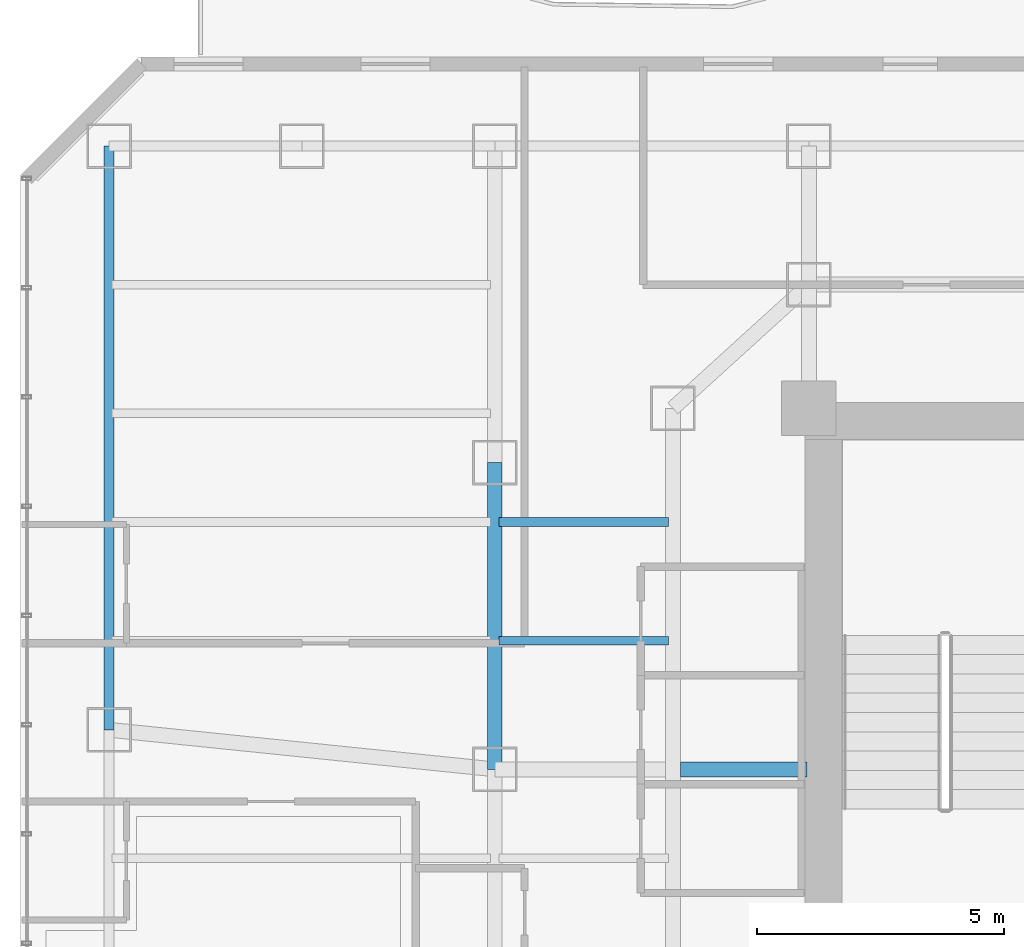
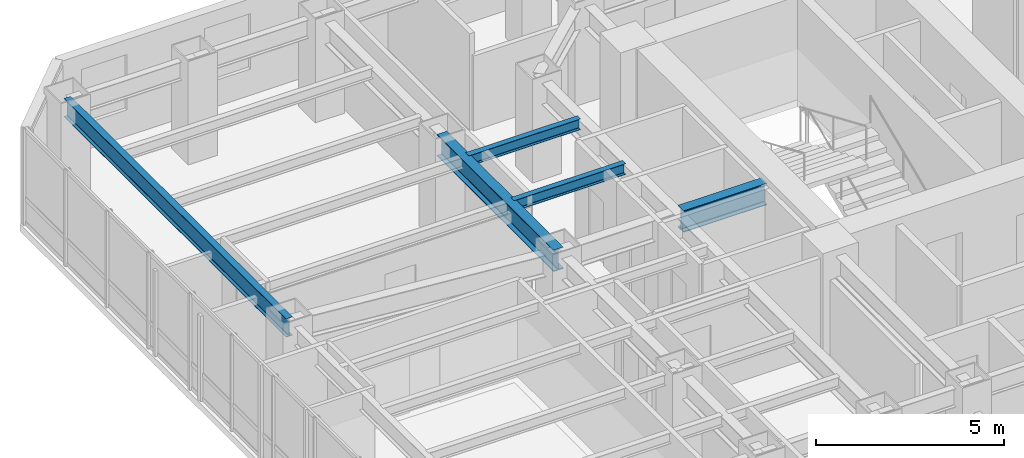
# One storey, part 22 of 36: 5 beams.
"""IFC4 building model written with IfcOpenShell, lengths in metres."""

from ifc_helpers import new_model, si_unit, direction, frame, origin, origin_2d, place, context, subcontext, project, spatial, i_section, extrude, material, material_profile, profile_set, type_object, element, save


model = new_model("IFC4")

# Units and contexts
model_context = context("Model", 3, precision=1e-05, world=origin(), true_north=direction((0.0, 1.0)))
body_context = subcontext(model_context, "Body", "Model", "MODEL_VIEW")
ifc_project = project(units=[si_unit("LENGTHUNIT", "METRE"), si_unit("AREAUNIT", "SQUARE_METRE"), si_unit("VOLUMEUNIT", "CUBIC_METRE"), si_unit("PLANEANGLEUNIT", "RADIAN"), si_unit("MASSUNIT", "GRAM", prefix="KILO")], contexts=[model_context])

# Site, building, storey
site_placement = place(None, origin())
site = spatial("IfcSite", under=ifc_project, at=site_placement, CompositionType="ELEMENT")
building_placement = place(site_placement, origin())
building = spatial("IfcBuilding", under=site, at=building_placement, Name="Hatsunagi Terrace Concourse", CompositionType="ELEMENT")
storey_placement = place(building_placement, frame((0.0, 0.0, 84.64990234375)))
storey = spatial("IfcBuildingStorey", under=building, at=storey_placement, Name="L22", CompositionType="ELEMENT", Elevation=84.64990234375)

# Beams
ifc_material_1 = material(Name="Steel SN490B", Category="steel")
ifc_material_profile_1 = material_profile(ifc_material_1, i_section(OverallWidth=0.300048828125, OverallDepth=0.699951171875, WebThickness=0.012939453125, FlangeThickness=0.02392578125, FilletRadius=0.02197265625, at=origin_2d()), Name="H-700x300x13x24")
ifc_profile_set_1 = profile_set([ifc_material_profile_1], Name="Steel SN490B")
beam_type_1 = type_object("IfcBeamType", Name="HotelFloorGirder_H_700x300", PredefinedType="BEAM", material=ifc_profile_set_1)
beam_1_placement = place(storey_placement, frame((19.199951171875, 36.0, 2.780029296875), z_axis=(0.0, 1.0, 0.0), x_axis=(-1.0, 0.0, 0.0)))
element("IfcBeam", 1, at=beam_1_placement, inside=storey, type_object=beam_type_1, Name="Beam G-04 BM-L22-NS-19-36", PredefinedType="BEAM", context=body_context, shape_type="SweptSolid", body=[
    extrude(i_section(OverallWidth=0.300048828125, OverallDepth=0.699951171875, WebThickness=0.012939453125, FlangeThickness=0.02392578125, FilletRadius=0.02197265625, at=origin_2d()), origin(), (0.0, 0.0, 1.0), 6.199951171875),
])
beam_2_placement = place(storey_placement, frame((22.949951171875, 36.0, 2.780029296875), z_axis=(1.0, 0.0, 0.0), x_axis=(0.0, 1.0, 0.0)))
element("IfcBeam", 2, at=beam_2_placement, inside=storey, type_object=beam_type_1, Name="Beam G-04 BM-L22-EW-4", PredefinedType="BEAM", context=body_context, shape_type="SweptSolid", body=[
    extrude(i_section(OverallWidth=0.300048828125, OverallDepth=0.699951171875, WebThickness=0.012939453125, FlangeThickness=0.02392578125, FilletRadius=0.02197265625, at=origin_2d()), origin(), (0.0, 0.0, 1.0), 2.56005859375),
])
ifc_material_2 = material(Name="Steel SN490B", Category="steel")
ifc_material_profile_2 = material_profile(ifc_material_2, i_section(OverallWidth=0.175048828125, OverallDepth=0.35009765625, WebThickness=0.007080078125, FlangeThickness=0.010986328125, FilletRadius=0.012939453125, at=origin_2d()), Name="H-350x175x7x11")
ifc_profile_set_2 = profile_set([ifc_material_profile_2], Name="Steel SN490B")
beam_type_2 = type_object("IfcBeamType", Name="HotelJoist_H_350x175", PredefinedType="JOIST", material=ifc_profile_set_2)
for number, where, z_axis, x_axis, name in (
    (3, (19.284912109375, 38.60009765625, 2.955078125), (1.0, 0.0, 0.0), (0.0, 1.0, 0.0), "Beam J-02 J-L22-W-19-386"),
    (4, (19.284912109375, 41.0, 2.955078125), (1.0, 0.0, 0.0), (0.0, 1.0, 0.0), "Beam J-02 J-L22-W-19-410"),
):
    element("IfcBeam", number, at=place(storey_placement, frame(where, z_axis=z_axis, x_axis=x_axis)), inside=storey, type_object=beam_type_2, Name=name, PredefinedType="JOIST", context=body_context, shape_type="SweptSolid", body=[
        extrude(i_section(OverallWidth=0.175048828125, OverallDepth=0.35009765625, WebThickness=0.007080078125, FlangeThickness=0.010986328125, FilletRadius=0.012939453125, at=origin_2d()), origin(), (0.0, 0.0, 1.0), 3.43017578125),
    ])
ifc_material_3 = material(Name="Steel SN490B", Category="steel")
ifc_material_profile_3 = material_profile(ifc_material_3, i_section(OverallWidth=0.199951171875, OverallDepth=0.60009765625, WebThickness=0.010986328125, FlangeThickness=0.01708984375, FilletRadius=0.01806640625, at=origin_2d()), Name="H-600x200x11x17")
ifc_profile_set_3 = profile_set([ifc_material_profile_3], Name="Steel SN490B")
beam_type_3 = type_object("IfcBeamType", Name="PerimeterSpandrel_H_600x200", PredefinedType="SPANDREL", material=ifc_profile_set_3)
beam_3_placement = place(storey_placement, frame((11.39990234375, 36.800048828125, 2.830078125), z_axis=(0.0, 1.0, 0.0), x_axis=(-1.0, 0.0, 0.0)))
element("IfcBeam", 5, at=beam_3_placement, inside=storey, type_object=beam_type_3, Name="Beam SP-01 BM-L22-NS-11-36", PredefinedType="SPANDREL", context=body_context, shape_type="SweptSolid", body=[
    extrude(i_section(OverallWidth=0.199951171875, OverallDepth=0.60009765625, WebThickness=0.010986328125, FlangeThickness=0.01708984375, FilletRadius=0.01806640625, at=origin_2d()), origin(), (0.0, 0.0, 1.0), 11.800048828125),
])

save(model, "model.ifc")
